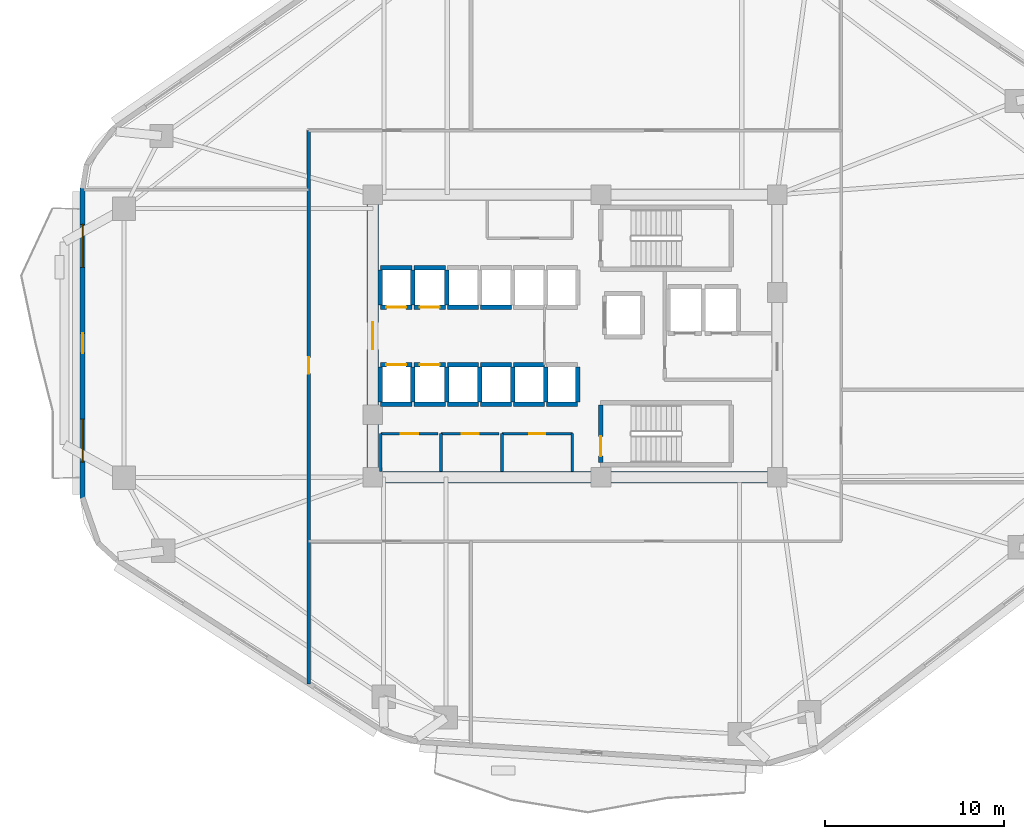
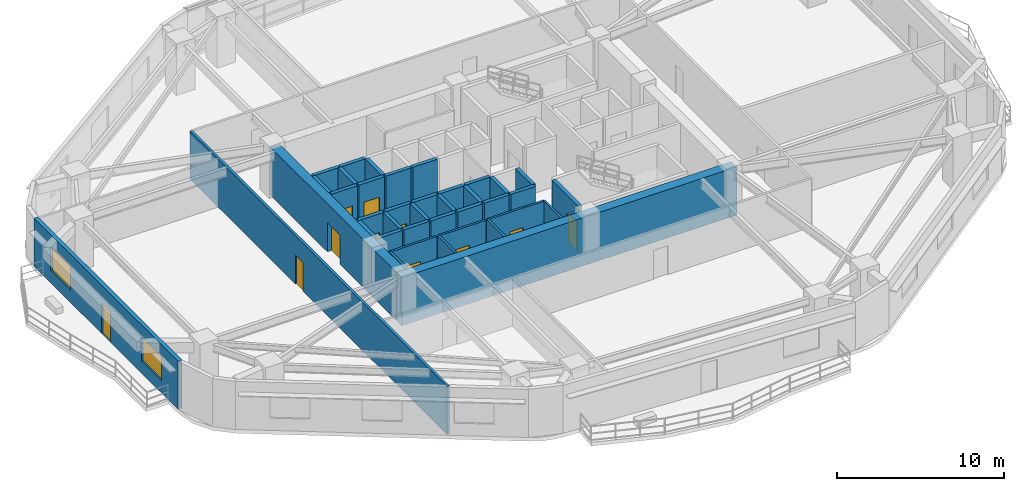
# One storey, part 6 of 11: 39 walls, 11 doors, 2 windows, 13 openings.
"""IFC4 building model written with IfcOpenShell, lengths in metres."""

from ifc_helpers import new_model, si_unit, direction, frame, frame_2d, origin, place, context, subcontext, project, spatial, rectangle, extrude, material, layer, layer_set, type_object, element, fill, save


model = new_model("IFC4")

# Units and contexts
model_context = context("Model", 3, precision=1e-05, world=origin(), true_north=direction((0.0, 1.0)))
body_context = subcontext(model_context, "Body", "Model", "MODEL_VIEW")
ifc_project = project(units=[si_unit("LENGTHUNIT", "METRE"), si_unit("AREAUNIT", "SQUARE_METRE"), si_unit("VOLUMEUNIT", "CUBIC_METRE"), si_unit("PLANEANGLEUNIT", "RADIAN"), si_unit("MASSUNIT", "GRAM", prefix="KILO")], contexts=[model_context])

# Site, building, storey
site_placement = place(None, origin())
site = spatial("IfcSite", under=ifc_project, at=site_placement, CompositionType="ELEMENT")
building_placement = place(site_placement, origin())
building = spatial("IfcBuilding", under=site, at=building_placement, Name="Zulverin Broadcast Headquarters", CompositionType="ELEMENT")
storey_placement = place(building_placement, frame((0.0, 0.0, 78.199951171875)))
storey = spatial("IfcBuildingStorey", under=building, at=storey_placement, Name="L19", CompositionType="ELEMENT", Elevation=78.199951171875)

# Wall
ifc_material_1 = material(Name="Concrete C60/75", Category="concrete")
ifc_layer_1 = layer(ifc_material_1, 0.64990234375, Name="Concrete C60/75", Category="concrete")
ifc_layer_set_1 = layer_set([ifc_layer_1], Name="Concrete C60/75")
wall_type_1 = type_object("IfcWallType", Name="WL-CORE-650", PredefinedType="SHEAR", material=ifc_layer_set_1)
wall_1_placement = place(storey_placement, frame((25.39990234375, 17.324951171875, 0.0), z_axis=(0.0, 0.0, 1.0), x_axis=(1.0, 0.0, 0.0)))
element("IfcWall", 1, at=wall_1_placement, inside=storey, type_object=wall_type_1, Name="L19 Core South Shear Wall", PredefinedType="SHEAR", context=body_context, shape_type="SweptSolid", body=[
    extrude(rectangle(XDim=23.2001953125, YDim=0.64990234375, at=frame_2d((11.60009765625, 0.0))), origin(), (0.0, 0.0, 1.0), 3.525146484375),
])

# Wall, opening, door
wall_2_placement = place(storey_placement, frame((25.72509765625, 17.64990234375, 0.0), z_axis=(0.0, 0.0, 1.0), x_axis=(0.0, 1.0, 0.0)))
wall_2 = element("IfcWall", 2, at=wall_2_placement, inside=storey, type_object=wall_type_1, Name="L19 Core West Shear Wall", PredefinedType="SHEAR", context=body_context, shape_type="SweptSolid", body=[
    extrude(rectangle(XDim=15.10009765625, YDim=0.64990234375, at=frame_2d((7.550048828125, 0.0))), origin(), (0.0, 0.0, 1.0), 3.525146484375),
])
opening_1_placement = place(wall_2_placement, frame((6.800048828125, 0.0, 0.0)))
opening_1 = element("IfcOpeningElement", 3, at=opening_1_placement, cuts=wall_2, Name="Opening D-L19-CW1", PredefinedType="OPENING", context=body_context, shape_type="SweptSolid", body=[
    extrude(rectangle(XDim=1.5, YDim=2.14990234375, at=frame_2d((0.75, 1.074951171875))), frame((0.0, 0.3349609375, 0.0), z_axis=(0.0, -1.0, 0.0), x_axis=(1.0, 0.0, 0.0)), (0.0, 0.0, 1.0), 0.669921875),
])
ifc_material_2 = material(Name="Fire-rated glazed steel frame", Category="steel")
door_type_1 = type_object("IfcDoorType", Name="DR-COR-1500", OperationType="DOUBLE_DOOR_SINGLE_SWING", PredefinedType="DOOR", material=ifc_material_2)
door_1_placement = place(opening_1_placement, origin())
door_1 = element("IfcDoor", 4, at=door_1_placement, inside=storey, type_object=door_type_1, Name="L19 Central Lift Lobby West Portal Door", OperationType="DOUBLE_DOOR_SINGLE_SWING", OverallHeight=2.14990234375, OverallWidth=1.5, PredefinedType="DOOR", context=body_context, shape_type="SweptSolid", body=[
    extrude(rectangle(XDim=1.5, YDim=2.14990234375, at=frame_2d((0.75, 1.074951171875))), frame((0.0, 0.02490234375, 0.0), z_axis=(0.0, -1.0, 0.0), x_axis=(1.0, 0.0, 0.0)), (0.0, 0.0, 1.0), 0.050048828125),
])
fill(opening_1, door_1)

# Wall, openings, door, windows
ifc_material_3 = material(Name="Insulated pale-metal clad concrete spandrel C40/50", Category="concrete")
ifc_layer_2 = layer(ifc_material_3, 0.280029296875, Name="Insulated pale-metal clad concrete spandrel C40/50", Category="concrete")
ifc_layer_set_2 = layer_set([ifc_layer_2], Name="Insulated pale-metal clad concrete spandrel C40/50")
wall_type_2 = type_object("IfcWallType", Name="WL-EXT-280", PredefinedType="STANDARD", material=ifc_layer_set_2)
wall_3_placement = place(storey_placement, frame((9.5400390625, 33.4443359375, 0.0), z_axis=(0.0, 0.0, 1.0), x_axis=(0.0, -1.0, 0.0)))
wall_3 = element("IfcWall", 5, at=wall_3_placement, inside=storey, type_object=wall_type_2, Name="L19 Pale-Metal Clad Spandrel Wall 7", PredefinedType="STANDARD", context=body_context, shape_type="SweptSolid", body=[
    extrude(rectangle(XDim=17.30078125, YDim=0.280029296875, at=frame_2d((8.650390625, 0.0))), origin(), (0.0, 0.0, 1.0), 3.525146484375),
])
opening_2_placement = place(wall_3_placement, frame((8.100341796875, 0.0, 0.0)))
opening_2 = element("IfcOpeningElement", 6, at=opening_2_placement, cuts=wall_3, Name="Opening D-L19-TR7", PredefinedType="OPENING", context=body_context, shape_type="SweptSolid", body=[
    extrude(rectangle(XDim=1.10009765625, YDim=2.199951171875, at=frame_2d((0.550048828125, 1.10009765625))), frame((0.0, 0.14990234375, 0.0), z_axis=(0.0, -1.0, 0.0), x_axis=(1.0, 0.0, 0.0)), (0.0, 0.0, 1.0), 0.300048828125),
])
opening_3_placement = place(wall_3_placement, frame((2.016845703125, 0.0, 0.89990234375)))
opening_3 = element("IfcOpeningElement", 7, at=opening_3_placement, cuts=wall_3, Name="Opening W-L19-E71", PredefinedType="OPENING", context=body_context, shape_type="SweptSolid", body=[
    extrude(rectangle(XDim=2.39990234375, YDim=1.75, at=frame_2d((1.199951171875, 0.875))), frame((0.0, 0.14990234375, 0.0), z_axis=(0.0, -1.0, 0.0), x_axis=(1.0, 0.0, 0.0)), (0.0, 0.0, 1.0), 0.300048828125),
])
opening_4_placement = place(wall_3_placement, frame((12.884033203125, 0.0, 0.89990234375)))
opening_4 = element("IfcOpeningElement", 8, at=opening_4_placement, cuts=wall_3, Name="Opening W-L19-E72", PredefinedType="OPENING", context=body_context, shape_type="SweptSolid", body=[
    extrude(rectangle(XDim=2.39990234375, YDim=1.75, at=frame_2d((1.199951171875, 0.875))), frame((0.0, 0.14990234375, 0.0), z_axis=(0.0, -1.0, 0.0), x_axis=(1.0, 0.0, 0.0)), (0.0, 0.0, 1.0), 0.300048828125),
])
ifc_material_4 = material(Name="Thermally broken aluminium glazed", Category="aluminium")
door_type_2 = type_object("IfcDoorType", Name="DR-TERR-1100", OperationType="SINGLE_SWING_RIGHT", PredefinedType="DOOR", material=ifc_material_4)
door_2_placement = place(opening_2_placement, origin())
door_2 = element("IfcDoor", 9, at=door_2_placement, inside=storey, type_object=door_type_2, Name="L19 Planted Terrace Glazed Access Door 7", OperationType="SINGLE_SWING_RIGHT", OverallHeight=2.199951171875, OverallWidth=1.10009765625, PredefinedType="DOOR", context=body_context, shape_type="SweptSolid", body=[
    extrude(rectangle(XDim=1.10009765625, YDim=2.199951171875, at=frame_2d((0.550048828125, 1.10009765625))), frame((0.0, 0.02490234375, 0.0), z_axis=(0.0, -1.0, 0.0), x_axis=(1.0, 0.0, 0.0)), (0.0, 0.0, 1.0), 0.050048828125),
])
fill(opening_2, door_2)
ifc_material_5 = material(Name="Pale anodized aluminium frame with solar-control low-E double glazing", Category="aluminium")
window_type = type_object("IfcWindowType", Name="WIN-RIB-2400", PartitioningType="SINGLE_PANEL", PredefinedType="WINDOW", material=ifc_material_5)
window_1_placement = place(opening_3_placement, origin())
window_1 = element("IfcWindow", 10, at=window_1_placement, inside=storey, type_object=window_type, Name="L19 Ribbon Glazing Window 7 1", OverallHeight=1.75, OverallWidth=2.39990234375, PartitioningType="SINGLE_PANEL", PredefinedType="WINDOW", context=body_context, shape_type="SweptSolid", body=[
    extrude(rectangle(XDim=2.39990234375, YDim=1.75, at=frame_2d((1.199951171875, 0.875))), frame((0.0, 0.030029296875, 0.0), z_axis=(0.0, -1.0, 0.0), x_axis=(1.0, 0.0, 0.0)), (0.0, 0.0, 1.0), 0.06005859375),
])
fill(opening_3, window_1)
window_2_placement = place(opening_4_placement, origin())
window_2 = element("IfcWindow", 11, at=window_2_placement, inside=storey, type_object=window_type, Name="L19 Ribbon Glazing Window 7 2", OverallHeight=1.75, OverallWidth=2.39990234375, PartitioningType="SINGLE_PANEL", PredefinedType="WINDOW", context=body_context, shape_type="SweptSolid", body=[
    extrude(rectangle(XDim=2.39990234375, YDim=1.75, at=frame_2d((1.199951171875, 0.875))), frame((0.0, 0.030029296875, 0.0), z_axis=(0.0, -1.0, 0.0), x_axis=(1.0, 0.0, 0.0)), (0.0, 0.0, 1.0), 0.06005859375),
])
fill(opening_4, window_2)

# Wall, opening, door
ifc_material_6 = material(Name="Fire-rated gypsum stud partition", Category="gypsum")
ifc_layer_3 = layer(ifc_material_6, 0.14990234375, Name="Fire-rated gypsum stud partition", Category="gypsum")
ifc_layer_set_3 = layer_set([ifc_layer_3], Name="Fire-rated gypsum stud partition")
wall_type_3 = type_object("IfcWallType", Name="WL-PART-150", PredefinedType="PARTITIONING", material=ifc_layer_set_3)
wall_4_placement = place(storey_placement, frame((26.169921875, 19.75, 0.0), z_axis=(0.0, 0.0, 1.0), x_axis=(1.0, 0.0, 0.0)))
wall_4 = element("IfcWall", 12, at=wall_4_placement, inside=storey, type_object=wall_type_3, Name="L19 Core Male WC Front Wall", PredefinedType="PARTITIONING", context=body_context, shape_type="SweptSolid", body=[
    extrude(rectangle(XDim=3.2001953125, YDim=0.14990234375, at=frame_2d((1.60009765625, 0.0))), origin(), (0.0, 0.0, 1.0), 3.525146484375),
])
opening_5_placement = place(wall_4_placement, frame((1.125, 0.0, 0.0)))
opening_5 = element("IfcOpeningElement", 13, at=opening_5_placement, cuts=wall_4, Name="Opening D-L19-SC1", PredefinedType="OPENING", context=body_context, shape_type="SweptSolid", body=[
    extrude(rectangle(XDim=0.949951171875, YDim=2.10009765625, at=frame_2d((0.47509765625, 1.050048828125))), frame((0.0, 0.0849609375, 0.0), z_axis=(0.0, -1.0, 0.0), x_axis=(1.0, 0.0, 0.0)), (0.0, 0.0, 1.0), 0.169921875),
])
ifc_material_7 = material(Name="Fire-rated moisture-resistant laminate leaf", Category="wood")
door_type_3 = type_object("IfcDoorType", Name="DR-WC-950", OperationType="SINGLE_SWING_LEFT", PredefinedType="DOOR", material=ifc_material_7)
door_3_placement = place(opening_5_placement, origin())
door_3 = element("IfcDoor", 14, at=door_3_placement, inside=storey, type_object=door_type_3, Name="L19 Male WC Door", OperationType="SINGLE_SWING_RIGHT", OverallHeight=2.10009765625, OverallWidth=0.949951171875, PredefinedType="DOOR", context=body_context, shape_type="SweptSolid", body=[
    extrude(rectangle(XDim=0.949951171875, YDim=2.10009765625, at=frame_2d((0.47509765625, 1.050048828125))), frame((0.0, 0.02490234375, 0.0), z_axis=(0.0, -1.0, 0.0), x_axis=(1.0, 0.0, 0.0)), (0.0, 0.0, 1.0), 0.050048828125),
])
fill(opening_5, door_3)

# Wall
wall_5_placement = place(storey_placement, frame((26.169921875, 17.64990234375, 0.0), z_axis=(0.0, 0.0, 1.0), x_axis=(0.0, 1.0, 0.0)))
element("IfcWall", 15, at=wall_5_placement, inside=storey, type_object=wall_type_3, Name="L19 Core Male WC West Wall", PredefinedType="PARTITIONING", context=body_context, shape_type="SweptSolid", body=[
    extrude(rectangle(XDim=2.10009765625, YDim=0.14990234375, at=frame_2d((1.050048828125, 0.0))), origin(), (0.0, 0.0, 1.0), 3.525146484375),
])

# Wall, opening, door
wall_6_placement = place(storey_placement, frame((29.530029296875, 19.75, 0.0), z_axis=(0.0, 0.0, 1.0), x_axis=(1.0, 0.0, 0.0)))
wall_6 = element("IfcWall", 16, at=wall_6_placement, inside=storey, type_object=wall_type_3, Name="L19 Core Female WC Front Wall", PredefinedType="PARTITIONING", context=body_context, shape_type="SweptSolid", body=[
    extrude(rectangle(XDim=3.239990234375, YDim=0.14990234375, at=frame_2d((1.6201171875, 0.0))), origin(), (0.0, 0.0, 1.0), 3.525146484375),
])
opening_6_placement = place(wall_6_placement, frame((1.14501953125, 0.0, 0.0)))
opening_6 = element("IfcOpeningElement", 17, at=opening_6_placement, cuts=wall_6, Name="Opening D-L19-SC2", PredefinedType="OPENING", context=body_context, shape_type="SweptSolid", body=[
    extrude(rectangle(XDim=0.949951171875, YDim=2.10009765625, at=frame_2d((0.47509765625, 1.050048828125))), frame((0.0, 0.0849609375, 0.0), z_axis=(0.0, -1.0, 0.0), x_axis=(1.0, 0.0, 0.0)), (0.0, 0.0, 1.0), 0.169921875),
])
door_4_placement = place(opening_6_placement, origin())
door_4 = element("IfcDoor", 18, at=door_4_placement, inside=storey, type_object=door_type_3, Name="L19 Female WC Door", OperationType="SINGLE_SWING_LEFT", OverallHeight=2.10009765625, OverallWidth=0.949951171875, PredefinedType="DOOR", context=body_context, shape_type="SweptSolid", body=[
    extrude(rectangle(XDim=0.949951171875, YDim=2.10009765625, at=frame_2d((0.47509765625, 1.050048828125))), frame((0.0, 0.02490234375, 0.0), z_axis=(0.0, -1.0, 0.0), x_axis=(1.0, 0.0, 0.0)), (0.0, 0.0, 1.0), 0.050048828125),
])
fill(opening_6, door_4)

# Wall
wall_7_placement = place(storey_placement, frame((29.530029296875, 17.64990234375, 0.0), z_axis=(0.0, 0.0, 1.0), x_axis=(0.0, 1.0, 0.0)))
element("IfcWall", 19, at=wall_7_placement, inside=storey, type_object=wall_type_3, Name="L19 Core Female WC West Wall", PredefinedType="PARTITIONING", context=body_context, shape_type="SweptSolid", body=[
    extrude(rectangle(XDim=2.10009765625, YDim=0.14990234375, at=frame_2d((1.050048828125, 0.0))), origin(), (0.0, 0.0, 1.0), 3.525146484375),
])

# Wall, opening, door
wall_8_placement = place(storey_placement, frame((32.929931640625, 19.75, 0.0), z_axis=(0.0, 0.0, 1.0), x_axis=(1.0, 0.0, 0.0)))
wall_8 = element("IfcWall", 20, at=wall_8_placement, inside=storey, type_object=wall_type_3, Name="L19 Core Cleaner Store Front Wall", PredefinedType="PARTITIONING", context=body_context, shape_type="SweptSolid", body=[
    extrude(rectangle(XDim=3.920166015625, YDim=0.14990234375, at=frame_2d((1.9599609375, 0.0))), origin(), (0.0, 0.0, 1.0), 3.525146484375),
])
opening_7_placement = place(wall_8_placement, frame((1.510009765625, 0.0, 0.0)))
opening_7 = element("IfcOpeningElement", 21, at=opening_7_placement, cuts=wall_8, Name="Opening D-L19-SC3", PredefinedType="OPENING", context=body_context, shape_type="SweptSolid", body=[
    extrude(rectangle(XDim=0.89990234375, YDim=2.10009765625, at=frame_2d((0.449951171875, 1.050048828125))), frame((0.0, 0.0849609375, 0.0), z_axis=(0.0, -1.0, 0.0), x_axis=(1.0, 0.0, 0.0)), (0.0, 0.0, 1.0), 0.169921875),
])
ifc_material_8 = material(Name="Powder-coated steel access leaf", Category="steel")
door_type_4 = type_object("IfcDoorType", Name="DR-RISER-900", OperationType="SINGLE_SWING_LEFT", PredefinedType="DOOR", material=ifc_material_8)
door_5_placement = place(opening_7_placement, origin())
door_5 = element("IfcDoor", 22, at=door_5_placement, inside=storey, type_object=door_type_4, Name="L19 Cleaner Store Door", OperationType="SINGLE_SWING_RIGHT", OverallHeight=2.10009765625, OverallWidth=0.89990234375, PredefinedType="DOOR", context=body_context, shape_type="SweptSolid", body=[
    extrude(rectangle(XDim=0.89990234375, YDim=2.10009765625, at=frame_2d((0.449951171875, 1.050048828125))), frame((0.0, 0.02490234375, 0.0), z_axis=(0.0, -1.0, 0.0), x_axis=(1.0, 0.0, 0.0)), (0.0, 0.0, 1.0), 0.050048828125),
])
fill(opening_7, door_5)

# Walls
for number, where, z_axis, x_axis, name in (
    (23, (32.929931640625, 17.64990234375, 0.0), (0.0, 0.0, 1.0), (0.0, 1.0, 0.0), "L19 Core Cleaner Store West Wall"),
    (24, (36.85009765625, 17.64990234375, 0.0), (0.0, 0.0, 1.0), (0.0, 1.0, 0.0), "L19 Core Cleaner Store East Wall"),
):
    element("IfcWall", number, at=place(storey_placement, frame(where, z_axis=z_axis, x_axis=x_axis)), inside=storey, type_object=wall_type_3, Name=name, PredefinedType="PARTITIONING", context=body_context, shape_type="SweptSolid", body=[
        extrude(rectangle(XDim=2.10009765625, YDim=0.14990234375, at=frame_2d((1.050048828125, 0.0))), origin(), (0.0, 0.0, 1.0), 3.525146484375),
    ])

# Wall, opening, door
ifc_material_9 = material(Name="Fire-rated acoustic stud wall", Category="gypsum")
ifc_layer_4 = layer(ifc_material_9, 0.175048828125, Name="Fire-rated acoustic stud wall", Category="gypsum")
ifc_layer_set_4 = layer_set([ifc_layer_4], Name="Fire-rated acoustic stud wall")
wall_type_4 = type_object("IfcWallType", Name="WL-PART-175", PredefinedType="PARTITIONING", material=ifc_layer_set_4)
wall_9_placement = place(storey_placement, frame((22.14990234375, 5.797607421875, 0.0), z_axis=(0.0, 0.0, 1.0), x_axis=(0.0, 1.0, 0.0)))
wall_9 = element("IfcWall", 25, at=wall_9_placement, inside=storey, type_object=wall_type_4, Name="L19 Gallery Partition Wall CG-04", PredefinedType="PARTITIONING", context=body_context, shape_type="SweptSolid", body=[
    extrude(rectangle(XDim=30.852294921875, YDim=0.175048828125, at=frame_2d((15.42626953125, 0.0))), origin(), (0.0, 0.0, 1.0), 3.525146484375),
])
opening_8_placement = place(wall_9_placement, frame((17.302490234375, 0.0, 0.0)))
opening_8 = element("IfcOpeningElement", 26, at=opening_8_placement, cuts=wall_9, Name="Opening D-L19-05", PredefinedType="OPENING", context=body_context, shape_type="SweptSolid", body=[
    extrude(rectangle(XDim=0.89990234375, YDim=2.10009765625, at=frame_2d((0.449951171875, 1.050048828125))), frame((0.0, 0.097412109375, 0.0), z_axis=(0.0, -1.0, 0.0), x_axis=(1.0, 0.0, 0.0)), (0.0, 0.0, 1.0), 0.195068359375),
])
ifc_material_10 = material(Name="Fire-rated hardwood veneer timber leaf", Category="wood")
door_type_5 = type_object("IfcDoorType", Name="DR-ROOM-900", OperationType="SINGLE_SWING_RIGHT", PredefinedType="DOOR", material=ifc_material_10)
door_6_placement = place(opening_8_placement, origin())
door_6 = element("IfcDoor", 27, at=door_6_placement, inside=storey, type_object=door_type_5, Name="L19 Briefing Room Door", OperationType="SINGLE_SWING_RIGHT", OverallHeight=2.10009765625, OverallWidth=0.89990234375, PredefinedType="DOOR", context=body_context, shape_type="SweptSolid", body=[
    extrude(rectangle(XDim=0.89990234375, YDim=2.10009765625, at=frame_2d((0.449951171875, 1.050048828125))), frame((0.0, 0.02490234375, 0.0), z_axis=(0.0, -1.0, 0.0), x_axis=(1.0, 0.0, 0.0)), (0.0, 0.0, 1.0), 0.050048828125),
])
fill(opening_8, door_6)

ifc_material_11 = material(Name="Concrete C50/60", Category="concrete")
ifc_layer_5 = layer(ifc_material_11, 0.25, Name="Concrete C50/60", Category="concrete")
ifc_layer_set_5 = layer_set([ifc_layer_5], Name="Concrete C50/60")
wall_type_5 = type_object("IfcWallType", Name="WL-SHAFT-250", PredefinedType="SHEAR", material=ifc_layer_set_5)
wall_10_placement = place(storey_placement, frame((38.425048828125, 18.14990234375, 0.0), z_axis=(0.0, 0.0, 1.0), x_axis=(0.0, 1.0, 0.0)))
wall_10 = element("IfcWall", 28, at=wall_10_placement, inside=storey, type_object=wall_type_5, Name="L19 ST-2 Enclosure Wall W", PredefinedType="SHEAR", context=body_context, shape_type="SweptSolid", body=[
    extrude(rectangle(XDim=3.2001953125, YDim=0.25, at=frame_2d((1.60009765625, 0.0))), origin(), (0.0, 0.0, 1.0), 3.525146484375),
])
opening_9_placement = place(wall_10_placement, frame((0.35009765625, 0.0, 0.0)))
opening_9 = element("IfcOpeningElement", 29, at=opening_9_placement, cuts=wall_10, Name="Opening D-L19-ST-2", PredefinedType="OPENING", context=body_context, shape_type="SweptSolid", body=[
    extrude(rectangle(XDim=1.10009765625, YDim=2.14990234375, at=frame_2d((0.550048828125, 1.074951171875))), frame((0.0, 0.135009765625, 0.0), z_axis=(0.0, -1.0, 0.0), x_axis=(1.0, 0.0, 0.0)), (0.0, 0.0, 1.0), 0.27001953125),
])
ifc_material_12 = material(Name="Fire-rated steel leaf and frame", Category="steel")
door_type_6 = type_object("IfcDoorType", Name="DR-STAIR-1100", OperationType="SINGLE_SWING_LEFT", PredefinedType="DOOR", material=ifc_material_12)
door_7_placement = place(opening_9_placement, origin())
door_7 = element("IfcDoor", 30, at=door_7_placement, inside=storey, type_object=door_type_6, Name="L19 Exit Stair ST-2 Fire Door", OperationType="SINGLE_SWING_RIGHT", OverallHeight=2.14990234375, OverallWidth=1.10009765625, PredefinedType="DOOR", context=body_context, shape_type="SweptSolid", body=[
    extrude(rectangle(XDim=1.10009765625, YDim=2.14990234375, at=frame_2d((0.550048828125, 1.074951171875))), frame((0.0, 0.02490234375, 0.0), z_axis=(0.0, -1.0, 0.0), x_axis=(1.0, 0.0, 0.0)), (0.0, 0.0, 1.0), 0.050048828125),
])
fill(opening_9, door_7)

wall_11_placement = place(storey_placement, frame((26.14990234375, 26.800048828125, 0.0), z_axis=(0.0, 0.0, 1.0), x_axis=(1.0, 0.0, 0.0)))
wall_11 = element("IfcWall", 31, at=wall_11_placement, inside=storey, type_object=wall_type_5, Name="L19 Lift PL-L1 Shaft Wall S", PredefinedType="SHEAR", context=body_context, shape_type="SweptSolid", body=[
    extrude(rectangle(XDim=1.75, YDim=0.25, at=frame_2d((0.875, 0.0))), origin(), (0.0, 0.0, 1.0), 3.525146484375),
])
opening_10_placement = place(wall_11_placement, frame((0.324951171875, 0.0, 0.0)))
opening_10 = element("IfcOpeningElement", 32, at=opening_10_placement, cuts=wall_11, Name="Opening LD-PL-L1-L19", PredefinedType="OPENING", context=body_context, shape_type="SweptSolid", body=[
    extrude(rectangle(XDim=1.10009765625, YDim=2.14990234375, at=frame_2d((0.550048828125, 1.074951171875))), frame((0.0, 0.135009765625, 0.0), z_axis=(0.0, -1.0, 0.0), x_axis=(1.0, 0.0, 0.0)), (0.0, 0.0, 1.0), 0.27001953125),
])
ifc_material_13 = material(Name="Brushed stainless steel landing", Category="steel")
door_type_7 = type_object("IfcDoorType", Name="LD-PASS-1100", OperationType="DOUBLE_DOOR_SLIDING", PredefinedType="DOOR", material=ifc_material_13)
door_8_placement = place(opening_10_placement, origin())
door_8 = element("IfcDoor", 33, at=door_8_placement, inside=storey, type_object=door_type_7, Name="L19 Lift PL-L1 Sliding Landing Door", OperationType="DOUBLE_DOOR_SLIDING", OverallHeight=2.14990234375, OverallWidth=1.10009765625, PredefinedType="DOOR", context=body_context, shape_type="SweptSolid", body=[
    extrude(rectangle(XDim=1.10009765625, YDim=2.14990234375, at=frame_2d((0.550048828125, 1.074951171875))), frame((0.0, 0.02490234375, 0.0), z_axis=(0.0, -1.0, 0.0), x_axis=(1.0, 0.0, 0.0)), (0.0, 0.0, 1.0), 0.050048828125),
])
fill(opening_10, door_8)

# Walls
wall_12_placement = place(storey_placement, frame((26.14990234375, 29.0, 0.0), z_axis=(0.0, 0.0, 1.0), x_axis=(1.0, 0.0, 0.0)))
element("IfcWall", 34, at=wall_12_placement, inside=storey, type_object=wall_type_5, Name="L19 Lift PL-L1 Shaft Wall N", PredefinedType="SHEAR", context=body_context, shape_type="SweptSolid", body=[
    extrude(rectangle(XDim=1.75, YDim=0.25, at=frame_2d((0.875, 0.0))), origin(), (0.0, 0.0, 1.0), 3.525146484375),
])
for number, where, z_axis, x_axis, name in (
    (35, (26.14990234375, 26.919921875, 0.0), (0.0, 0.0, 1.0), (0.0, 1.0, 0.0), "L19 Lift PL-L1 Shaft Wall W"),
    (36, (27.9599609375, 26.919921875, 0.0), (0.0, 0.0, 1.0), (0.0, 1.0, 0.0), "L19 Lift PL-L1 Shaft Wall E"),
):
    element("IfcWall", number, at=place(storey_placement, frame(where, z_axis=z_axis, x_axis=x_axis)), inside=storey, type_object=wall_type_5, Name=name, PredefinedType="SHEAR", context=body_context, shape_type="SweptSolid", body=[
        extrude(rectangle(XDim=1.9599609375, YDim=0.25, at=frame_2d((0.97998046875, 0.0))), origin(), (0.0, 0.0, 1.0), 3.525146484375),
    ])

# Wall, opening, door
wall_13_placement = place(storey_placement, frame((28.02001953125, 26.800048828125, 0.0), z_axis=(0.0, 0.0, 1.0), x_axis=(1.0, 0.0, 0.0)))
wall_13 = element("IfcWall", 37, at=wall_13_placement, inside=storey, type_object=wall_type_5, Name="L19 Lift PL-L2 Shaft Wall S", PredefinedType="SHEAR", context=body_context, shape_type="SweptSolid", body=[
    extrude(rectangle(XDim=1.75, YDim=0.25, at=frame_2d((0.875, 0.0))), origin(), (0.0, 0.0, 1.0), 3.525146484375),
])
opening_11_placement = place(wall_13_placement, frame((0.324951171875, 0.0, 0.0)))
opening_11 = element("IfcOpeningElement", 38, at=opening_11_placement, cuts=wall_13, Name="Opening LD-PL-L2-L19", PredefinedType="OPENING", context=body_context, shape_type="SweptSolid", body=[
    extrude(rectangle(XDim=1.10009765625, YDim=2.14990234375, at=frame_2d((0.550048828125, 1.074951171875))), frame((0.0, 0.135009765625, 0.0), z_axis=(0.0, -1.0, 0.0), x_axis=(1.0, 0.0, 0.0)), (0.0, 0.0, 1.0), 0.27001953125),
])
door_9_placement = place(opening_11_placement, origin())
door_9 = element("IfcDoor", 39, at=door_9_placement, inside=storey, type_object=door_type_7, Name="L19 Lift PL-L2 Sliding Landing Door", OperationType="DOUBLE_DOOR_SLIDING", OverallHeight=2.14990234375, OverallWidth=1.10009765625, PredefinedType="DOOR", context=body_context, shape_type="SweptSolid", body=[
    extrude(rectangle(XDim=1.10009765625, YDim=2.14990234375, at=frame_2d((0.550048828125, 1.074951171875))), frame((0.0, 0.02490234375, 0.0), z_axis=(0.0, -1.0, 0.0), x_axis=(1.0, 0.0, 0.0)), (0.0, 0.0, 1.0), 0.050048828125),
])
fill(opening_11, door_9)

# Walls
wall_14_placement = place(storey_placement, frame((28.02001953125, 29.0, 0.0), z_axis=(0.0, 0.0, 1.0), x_axis=(1.0, 0.0, 0.0)))
element("IfcWall", 40, at=wall_14_placement, inside=storey, type_object=wall_type_5, Name="L19 Lift PL-L2 Shaft Wall N", PredefinedType="SHEAR", context=body_context, shape_type="SweptSolid", body=[
    extrude(rectangle(XDim=1.75, YDim=0.25, at=frame_2d((0.875, 0.0))), origin(), (0.0, 0.0, 1.0), 3.525146484375),
])
wall_15_placement = place(storey_placement, frame((29.8349609375, 26.919921875, 0.0), z_axis=(0.0, 0.0, 1.0), x_axis=(0.0, 1.0, 0.0)))
element("IfcWall", 41, at=wall_15_placement, inside=storey, type_object=wall_type_5, Name="L19 Lift PL-L2 Shaft Wall E", PredefinedType="SHEAR", context=body_context, shape_type="SweptSolid", body=[
    extrude(rectangle(XDim=1.9599609375, YDim=0.25, at=frame_2d((0.97998046875, 0.0))), origin(), (0.0, 0.0, 1.0), 3.525146484375),
])
wall_16_placement = place(storey_placement, frame((26.14990234375, 21.39990234375, 0.0), z_axis=(0.0, 0.0, 1.0), x_axis=(1.0, 0.0, 0.0)))
element("IfcWall", 42, at=wall_16_placement, inside=storey, type_object=wall_type_5, Name="L19 Lift PL-L3 Shaft Wall S", PredefinedType="SHEAR", context=body_context, shape_type="SweptSolid", body=[
    extrude(rectangle(XDim=1.75, YDim=0.25, at=frame_2d((0.875, 0.0))), origin(), (0.0, 0.0, 1.0), 3.525146484375),
])

# Wall, opening, door
wall_17_placement = place(storey_placement, frame((26.14990234375, 23.60009765625, 0.0), z_axis=(0.0, 0.0, 1.0), x_axis=(1.0, 0.0, 0.0)))
wall_17 = element("IfcWall", 43, at=wall_17_placement, inside=storey, type_object=wall_type_5, Name="L19 Lift PL-L3 Shaft Wall N", PredefinedType="SHEAR", context=body_context, shape_type="SweptSolid", body=[
    extrude(rectangle(XDim=1.75, YDim=0.25, at=frame_2d((0.875, 0.0))), origin(), (0.0, 0.0, 1.0), 3.525146484375),
])
opening_12_placement = place(wall_17_placement, frame((0.324951171875, 0.0, 0.0)))
opening_12 = element("IfcOpeningElement", 44, at=opening_12_placement, cuts=wall_17, Name="Opening LD-PL-L3-L19", PredefinedType="OPENING", context=body_context, shape_type="SweptSolid", body=[
    extrude(rectangle(XDim=1.10009765625, YDim=2.14990234375, at=frame_2d((0.550048828125, 1.074951171875))), frame((0.0, 0.135009765625, 0.0), z_axis=(0.0, -1.0, 0.0), x_axis=(1.0, 0.0, 0.0)), (0.0, 0.0, 1.0), 0.27001953125),
])
door_10_placement = place(opening_12_placement, origin())
door_10 = element("IfcDoor", 45, at=door_10_placement, inside=storey, type_object=door_type_7, Name="L19 Lift PL-L3 Sliding Landing Door", OperationType="DOUBLE_DOOR_SLIDING", OverallHeight=2.14990234375, OverallWidth=1.10009765625, PredefinedType="DOOR", context=body_context, shape_type="SweptSolid", body=[
    extrude(rectangle(XDim=1.10009765625, YDim=2.14990234375, at=frame_2d((0.550048828125, 1.074951171875))), frame((0.0, 0.02490234375, 0.0), z_axis=(0.0, -1.0, 0.0), x_axis=(1.0, 0.0, 0.0)), (0.0, 0.0, 1.0), 0.050048828125),
])
fill(opening_12, door_10)

# Walls
for number, where, z_axis, x_axis, name in (
    (46, (26.14990234375, 21.52001953125, 0.0), (0.0, 0.0, 1.0), (0.0, 1.0, 0.0), "L19 Lift PL-L3 Shaft Wall W"),
    (47, (27.9599609375, 21.52001953125, 0.0), (0.0, 0.0, 1.0), (0.0, 1.0, 0.0), "L19 Lift PL-L3 Shaft Wall E"),
):
    element("IfcWall", number, at=place(storey_placement, frame(where, z_axis=z_axis, x_axis=x_axis)), inside=storey, type_object=wall_type_5, Name=name, PredefinedType="SHEAR", context=body_context, shape_type="SweptSolid", body=[
        extrude(rectangle(XDim=1.9599609375, YDim=0.25, at=frame_2d((0.97998046875, 0.0))), origin(), (0.0, 0.0, 1.0), 3.525146484375),
    ])
wall_18_placement = place(storey_placement, frame((28.02001953125, 21.39990234375, 0.0), z_axis=(0.0, 0.0, 1.0), x_axis=(1.0, 0.0, 0.0)))
element("IfcWall", 48, at=wall_18_placement, inside=storey, type_object=wall_type_5, Name="L19 Lift PL-L4 Shaft Wall S", PredefinedType="SHEAR", context=body_context, shape_type="SweptSolid", body=[
    extrude(rectangle(XDim=1.75, YDim=0.25, at=frame_2d((0.875, 0.0))), origin(), (0.0, 0.0, 1.0), 3.525146484375),
])

# Wall, opening, door
wall_19_placement = place(storey_placement, frame((28.02001953125, 23.60009765625, 0.0), z_axis=(0.0, 0.0, 1.0), x_axis=(1.0, 0.0, 0.0)))
wall_19 = element("IfcWall", 49, at=wall_19_placement, inside=storey, type_object=wall_type_5, Name="L19 Lift PL-L4 Shaft Wall N", PredefinedType="SHEAR", context=body_context, shape_type="SweptSolid", body=[
    extrude(rectangle(XDim=1.75, YDim=0.25, at=frame_2d((0.875, 0.0))), origin(), (0.0, 0.0, 1.0), 3.525146484375),
])
opening_13_placement = place(wall_19_placement, frame((0.324951171875, 0.0, 0.0)))
opening_13 = element("IfcOpeningElement", 50, at=opening_13_placement, cuts=wall_19, Name="Opening LD-PL-L4-L19", PredefinedType="OPENING", context=body_context, shape_type="SweptSolid", body=[
    extrude(rectangle(XDim=1.10009765625, YDim=2.14990234375, at=frame_2d((0.550048828125, 1.074951171875))), frame((0.0, 0.135009765625, 0.0), z_axis=(0.0, -1.0, 0.0), x_axis=(1.0, 0.0, 0.0)), (0.0, 0.0, 1.0), 0.27001953125),
])
door_11_placement = place(opening_13_placement, origin())
door_11 = element("IfcDoor", 51, at=door_11_placement, inside=storey, type_object=door_type_7, Name="L19 Lift PL-L4 Sliding Landing Door", OperationType="DOUBLE_DOOR_SLIDING", OverallHeight=2.14990234375, OverallWidth=1.10009765625, PredefinedType="DOOR", context=body_context, shape_type="SweptSolid", body=[
    extrude(rectangle(XDim=1.10009765625, YDim=2.14990234375, at=frame_2d((0.550048828125, 1.074951171875))), frame((0.0, 0.02490234375, 0.0), z_axis=(0.0, -1.0, 0.0), x_axis=(1.0, 0.0, 0.0)), (0.0, 0.0, 1.0), 0.050048828125),
])
fill(opening_13, door_11)

# Walls
wall_20_placement = place(storey_placement, frame((29.8349609375, 21.52001953125, 0.0), z_axis=(0.0, 0.0, 1.0), x_axis=(0.0, 1.0, 0.0)))
element("IfcWall", 52, at=wall_20_placement, inside=storey, type_object=wall_type_5, Name="L19 Lift PL-L4 Shaft Wall E", PredefinedType="SHEAR", context=body_context, shape_type="SweptSolid", body=[
    extrude(rectangle(XDim=1.9599609375, YDim=0.25, at=frame_2d((0.97998046875, 0.0))), origin(), (0.0, 0.0, 1.0), 3.525146484375),
])
for number, where, z_axis, x_axis, name in (
    (53, (29.89990234375, 21.39990234375, 0.0), (0.0, 0.0, 1.0), (1.0, 0.0, 0.0), "L19 Lift PL-M1 Shaft Wall S"),
    (54, (29.89990234375, 23.60009765625, 0.0), (0.0, 0.0, 1.0), (1.0, 0.0, 0.0), "L19 Lift PL-M1 Shaft Wall N"),
):
    element("IfcWall", number, at=place(storey_placement, frame(where, z_axis=z_axis, x_axis=x_axis)), inside=storey, type_object=wall_type_5, Name=name, PredefinedType="SHEAR", context=body_context, shape_type="SweptSolid", body=[
        extrude(rectangle(XDim=1.72021484375, YDim=0.25, at=frame_2d((0.860107421875, 0.0))), origin(), (0.0, 0.0, 1.0), 3.525146484375),
    ])
wall_21_placement = place(storey_placement, frame((31.679931640625, 21.52001953125, 0.0), z_axis=(0.0, 0.0, 1.0), x_axis=(0.0, 1.0, 0.0)))
element("IfcWall", 55, at=wall_21_placement, inside=storey, type_object=wall_type_5, Name="L19 Lift PL-M1 Shaft Wall E", PredefinedType="SHEAR", context=body_context, shape_type="SweptSolid", body=[
    extrude(rectangle(XDim=1.9599609375, YDim=0.25, at=frame_2d((0.97998046875, 0.0))), origin(), (0.0, 0.0, 1.0), 3.525146484375),
])
for number, where, z_axis, x_axis, name in (
    (56, (31.739990234375, 21.39990234375, 0.0), (0.0, 0.0, 1.0), (1.0, 0.0, 0.0), "L19 Lift PL-M2 Shaft Wall S"),
    (57, (31.739990234375, 23.60009765625, 0.0), (0.0, 0.0, 1.0), (1.0, 0.0, 0.0), "L19 Lift PL-M2 Shaft Wall N"),
):
    element("IfcWall", number, at=place(storey_placement, frame(where, z_axis=z_axis, x_axis=x_axis)), inside=storey, type_object=wall_type_5, Name=name, PredefinedType="SHEAR", context=body_context, shape_type="SweptSolid", body=[
        extrude(rectangle(XDim=1.719970703125, YDim=0.25, at=frame_2d((0.85986328125, 0.0))), origin(), (0.0, 0.0, 1.0), 3.525146484375),
    ])
wall_22_placement = place(storey_placement, frame((33.52001953125, 21.52001953125, 0.0), z_axis=(0.0, 0.0, 1.0), x_axis=(0.0, 1.0, 0.0)))
element("IfcWall", 58, at=wall_22_placement, inside=storey, type_object=wall_type_5, Name="L19 Lift PL-M2 Shaft Wall E", PredefinedType="SHEAR", context=body_context, shape_type="SweptSolid", body=[
    extrude(rectangle(XDim=1.9599609375, YDim=0.25, at=frame_2d((0.97998046875, 0.0))), origin(), (0.0, 0.0, 1.0), 3.525146484375),
])
for number, where, z_axis, x_axis, name in (
    (59, (33.580078125, 21.39990234375, 0.0), (0.0, 0.0, 1.0), (1.0, 0.0, 0.0), "L19 Lift PL-M3 Shaft Wall S"),
    (60, (33.580078125, 23.60009765625, 0.0), (0.0, 0.0, 1.0), (1.0, 0.0, 0.0), "L19 Lift PL-M3 Shaft Wall N"),
):
    element("IfcWall", number, at=place(storey_placement, frame(where, z_axis=z_axis, x_axis=x_axis)), inside=storey, type_object=wall_type_5, Name=name, PredefinedType="SHEAR", context=body_context, shape_type="SweptSolid", body=[
        extrude(rectangle(XDim=1.719970703125, YDim=0.25, at=frame_2d((0.85986328125, 0.0))), origin(), (0.0, 0.0, 1.0), 3.525146484375),
    ])
wall_23_placement = place(storey_placement, frame((35.360107421875, 21.52001953125, 0.0), z_axis=(0.0, 0.0, 1.0), x_axis=(0.0, 1.0, 0.0)))
element("IfcWall", 61, at=wall_23_placement, inside=storey, type_object=wall_type_5, Name="L19 Lift PL-M3 Shaft Wall E", PredefinedType="SHEAR", context=body_context, shape_type="SweptSolid", body=[
    extrude(rectangle(XDim=1.9599609375, YDim=0.25, at=frame_2d((0.97998046875, 0.0))), origin(), (0.0, 0.0, 1.0), 3.525146484375),
])
wall_24_placement = place(storey_placement, frame((35.419921875, 21.39990234375, 0.0), z_axis=(0.0, 0.0, 1.0), x_axis=(1.0, 0.0, 0.0)))
element("IfcWall", 62, at=wall_24_placement, inside=storey, type_object=wall_type_5, Name="L19 Lift PL-M4 Shaft Wall S", PredefinedType="SHEAR", context=body_context, shape_type="SweptSolid", body=[
    extrude(rectangle(XDim=1.719970703125, YDim=0.25, at=frame_2d((0.85986328125, 0.0))), origin(), (0.0, 0.0, 1.0), 3.525146484375),
])
wall_25_placement = place(storey_placement, frame((37.139892578125, 21.52001953125, 0.0), z_axis=(0.0, 0.0, 1.0), x_axis=(0.0, 1.0, 0.0)))
element("IfcWall", 63, at=wall_25_placement, inside=storey, type_object=wall_type_5, Name="L19 Lift PL-M4 Shaft Wall E", PredefinedType="SHEAR", context=body_context, shape_type="SweptSolid", body=[
    extrude(rectangle(XDim=1.9599609375, YDim=0.25, at=frame_2d((0.97998046875, 0.0))), origin(), (0.0, 0.0, 1.0), 3.525146484375),
])
wall_26_placement = place(storey_placement, frame((29.89990234375, 26.800048828125, 0.0), z_axis=(0.0, 0.0, 1.0), x_axis=(1.0, 0.0, 0.0)))
element("IfcWall", 64, at=wall_26_placement, inside=storey, type_object=wall_type_5, Name="L19 Lift PL-H1 Shaft Wall S", PredefinedType="SHEAR", context=body_context, shape_type="SweptSolid", body=[
    extrude(rectangle(XDim=1.72021484375, YDim=0.25, at=frame_2d((0.860107421875, 0.0))), origin(), (0.0, 0.0, 1.0), 3.525146484375),
])
wall_27_placement = place(storey_placement, frame((31.739990234375, 26.800048828125, 0.0), z_axis=(0.0, 0.0, 1.0), x_axis=(1.0, 0.0, 0.0)))
element("IfcWall", 65, at=wall_27_placement, inside=storey, type_object=wall_type_5, Name="L19 Lift PL-H2 Shaft Wall S", PredefinedType="SHEAR", context=body_context, shape_type="SweptSolid", body=[
    extrude(rectangle(XDim=1.719970703125, YDim=0.25, at=frame_2d((0.85986328125, 0.0))), origin(), (0.0, 0.0, 1.0), 3.525146484375),
])

save(model, "model.ifc")
